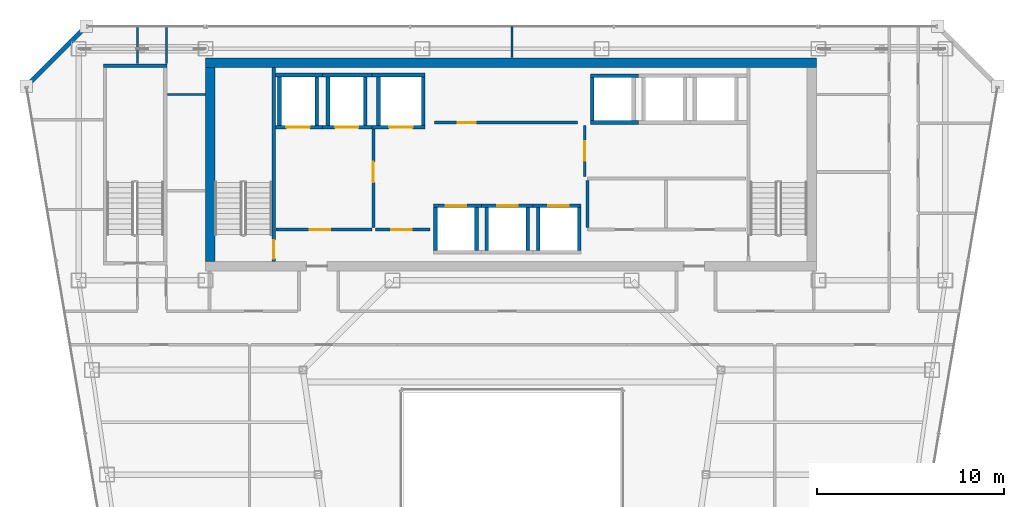
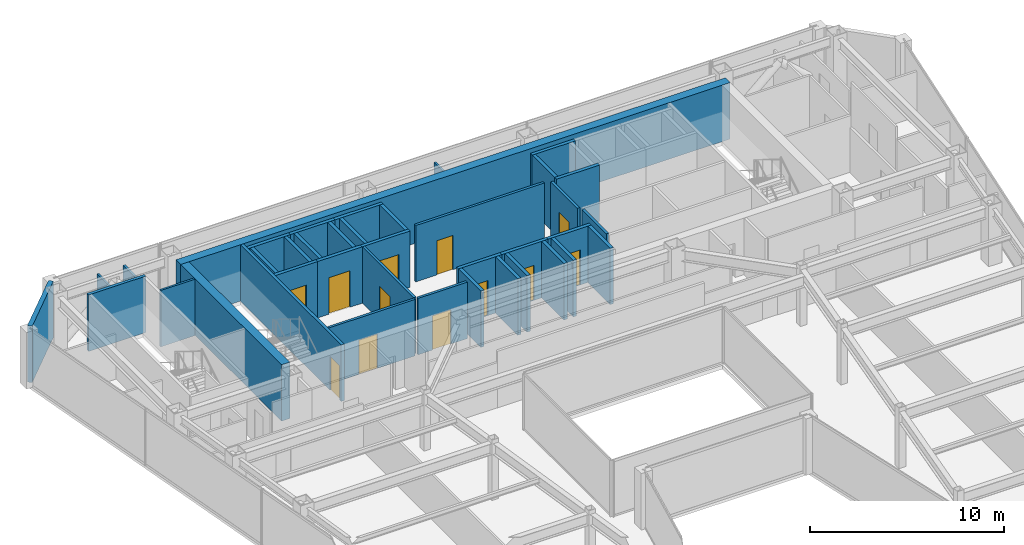
# One storey, part 31 of 35: 39 walls, 12 doors, 12 openings.
"""IFC4 building model written with IfcOpenShell, lengths in metres."""

import ifcopenshell
import ifcopenshell.guid

model = None  # the IFC model being written
_history = None  # IfcOwnerHistory: only IFC2X3 demands one
_inside = {}  # id of a spatial element -> (the spatial element, [elements in it])
_under = {}  # id of a project, library or spatial element -> (it, [spatial elements below it])
_declared = {}  # id of a project -> (the project, [libraries it declares])
_typed = {}  # id of a type object -> (the type object, [elements of that type])
_made_of = {}  # id of a material, layer set ... -> (it, [elements and type objects made of it])


def new_model(schema):
    """Start an empty IFC model of exactly this schema.

    Asked for "IFC4X3", IfcOpenShell would pick the latest addendum, in which some entities
    have other attributes; the version numbers below select the first issue.
    IFC2X3 requires an IfcOwnerHistory on every rooted entity: one is made here for all.
    """
    global model, _history
    if schema == "IFC4X3":
        model = ifcopenshell.file(schema_version=(4, 3, 0, 0))
    else:
        model = ifcopenshell.file(schema=schema)
    _inside.clear()
    _under.clear()
    _declared.clear()
    _typed.clear()
    _made_of.clear()
    _history = None
    if model.schema == "IFC2X3":
        org = make("IfcOrganization", Name="unknown")
        user = make(
            "IfcPersonAndOrganization",
            ThePerson=make("IfcPerson", FamilyName="unknown"),
            TheOrganization=org,
        )
        app = make(
            "IfcApplication",
            ApplicationDeveloper=org,
            Version="unknown",
            ApplicationFullName="unknown",
            ApplicationIdentifier="unknown",
        )
        _history = make(
            "IfcOwnerHistory",
            OwningUser=user,
            OwningApplication=app,
            ChangeAction="ADDED",
            CreationDate=0,
        )
    return model


def make(cls, **values):
    """One entity of the class cls with the attributes given. An attribute that is None is left unset."""
    return model.create_entity(
        cls, **{name: value for name, value in values.items() if value is not None}
    )


def rooted(cls, **values):
    """An entity with a GlobalId (a new one), such as an element, a storey or a relation."""
    return make(cls, GlobalId=ifcopenshell.guid.new(), OwnerHistory=_history, **values)


def si_unit(unit_type, name, prefix=None):
    """IfcSIUnit, for example si_unit("LENGTHUNIT", "METRE", prefix="MILLI")."""
    return make("IfcSIUnit", UnitType=unit_type, Prefix=prefix, Name=name)


def assignment(units):
    """IfcUnitAssignment: the units of a project."""
    return None if units is None else make("IfcUnitAssignment", Units=units)


def point(xyz):
    """IfcCartesianPoint."""
    return None if xyz is None else make("IfcCartesianPoint", Coordinates=xyz)


def direction(xyz):
    """IfcDirection."""
    return None if xyz is None else make("IfcDirection", DirectionRatios=xyz)


def frame(location, z_axis=None, x_axis=None):
    """IfcAxis2Placement3D, a coordinate frame: its origin and axes. An axis left out is left unset."""
    return make(
        "IfcAxis2Placement3D",
        Location=point(location),
        Axis=direction(z_axis),
        RefDirection=direction(x_axis),
    )


def frame_2d(location, x_axis=None):
    """IfcAxis2Placement2D, a coordinate frame in the plane: its origin and x axis."""
    return make(
        "IfcAxis2Placement2D", Location=point(location), RefDirection=direction(x_axis)
    )


def origin():
    """The frame at (0, 0, 0) with its axes left unset."""
    return frame((0.0, 0.0, 0.0))


def place(relative_to, where):
    """IfcLocalPlacement: puts the frame where relative to a parent placement (None: the world)."""
    return make(
        "IfcLocalPlacement", PlacementRelTo=relative_to, RelativePlacement=where
    )


def context(
    kind, dimensions, precision=None, world=None, true_north=None, identifier=None
):
    """IfcGeometricRepresentationContext, for example the 3D "Model" context."""
    return make(
        "IfcGeometricRepresentationContext",
        ContextIdentifier=identifier,
        ContextType=kind,
        CoordinateSpaceDimension=dimensions,
        Precision=precision,
        WorldCoordinateSystem=world,
        TrueNorth=true_north,
    )


def subcontext(parent, identifier, kind, view, scale=None):
    """IfcGeometricRepresentationSubContext, for example "Body" below "Model"."""
    return make(
        "IfcGeometricRepresentationSubContext",
        ContextIdentifier=identifier,
        ContextType=kind,
        ParentContext=parent,
        TargetScale=scale,
        TargetView=view,
    )


def project(units=None, contexts=None):
    """IfcProject with its units and contexts."""
    return rooted(
        "IfcProject",
        Name="project",
        RepresentationContexts=contexts,
        UnitsInContext=assignment(units),
    )


def spatial(cls, under=None, at=None, **own):
    """A site, building, storey or space (cls), placed at a placement, below another one or the project."""
    s = rooted(cls, ObjectPlacement=at, **own)
    if under is not None:
        _under.setdefault(under.id(), (under, []))[1].append(s)
    return s


def profile(cls, at=None, kind="AREA", **sizes):
    """A parametric profile (cls). Its sizes go by their IFC names, for example OverallWidth=200.0."""
    return make(cls, ProfileType=kind, Position=at, **sizes)


def rectangle(**sizes):
    """IfcRectangleProfileDef."""
    return profile("IfcRectangleProfileDef", **sizes)


def extrude(swept, where, along, depth):
    """IfcExtrudedAreaSolid: the profile swept, set in the frame where, extruded along a direction by depth."""
    return make(
        "IfcExtrudedAreaSolid",
        SweptArea=swept,
        Position=where,
        ExtrudedDirection=direction(along),
        Depth=depth,
    )


def shape(context_of_items, identifier, shape_type, items):
    """IfcShapeRepresentation: the items that make up one representation, for example the "Body"."""
    return make(
        "IfcShapeRepresentation",
        ContextOfItems=context_of_items,
        RepresentationIdentifier=identifier,
        RepresentationType=shape_type,
        Items=items,
    )


def material(Name=None, Category=None):
    """IfcMaterial."""
    return make("IfcMaterial", Name=Name, Category=Category)


def layer(
    of_material, thickness, ventilated=None, Name=None, Category=None, Priority=None
):
    """IfcMaterialLayer: one layer of a wall or slab, of a material (None: an air gap)."""
    return make(
        "IfcMaterialLayer",
        Material=of_material,
        LayerThickness=thickness,
        IsVentilated=ventilated,
        Name=Name,
        Category=Category,
        Priority=Priority,
    )


def layer_set(layers, Name=None):
    """IfcMaterialLayerSet."""
    return make("IfcMaterialLayerSet", MaterialLayers=layers, LayerSetName=Name)


def made_of(thing, what):
    """Note that an element or type object is made of a material, layer set ...; save() writes the relation."""
    if what is not None:
        _made_of.setdefault(what.id(), (what, []))[1].append(thing)
    return thing


def type_object(cls, material=None, **own):
    """A type object (cls), such as IfcWallType, which elements share."""
    return made_of(rooted(cls, **own), material)


def element(
    cls,
    number,
    at=None,
    inside=None,
    cuts=None,
    type_object=None,
    material=None,
    context=None,
    identifier="Body",
    shape_type=None,
    held_by="IfcProductDefinitionShape",
    body=None,
    shapes=None,
    **own,
):
    """One element of the class cls, such as IfcWall. Its Tag is "e" and its number.

    at: its placement. inside: the storey or other place that contains it. cuts: it is an
    opening in that element (IfcRelVoidsElement). A single representation is given by context,
    identifier, shape_type and body (its items); several are given by shapes. held_by: the class
    of the entity that holds the representations. save() writes the other relations.
    """
    e = rooted(cls, Tag="e%d" % number, ObjectPlacement=at, **own)
    if body is not None:
        shapes = [shape(context, identifier, shape_type, body)]
    if shapes is not None:
        e.Representation = make(held_by, Representations=shapes)
    if inside is not None:
        _inside.setdefault(inside.id(), (inside, []))[1].append(e)
    if cuts is not None:
        rooted(
            "IfcRelVoidsElement", RelatingBuildingElement=cuts, RelatedOpeningElement=e
        )
    if type_object is not None:
        _typed.setdefault(type_object.id(), (type_object, []))[1].append(e)
    return made_of(e, material)


def fill(opening, filler):
    """IfcRelFillsElement: the door or window that sits in an opening."""
    return rooted(
        "IfcRelFillsElement",
        RelatingOpeningElement=opening,
        RelatedBuildingElement=filler,
    )


def aggregate(whole, parts):
    """IfcRelAggregates: a whole, such as a stair, and the parts it consists of."""
    return rooted("IfcRelAggregates", RelatingObject=whole, RelatedObjects=parts)


def save(model, path):
    """Write the relations noted so far, then the file.

    IfcRelAggregates (storeys below a building ...), IfcRelContainedInSpatialStructure (elements
    in a storey), IfcRelDefinesByType, IfcRelAssociatesMaterial and IfcRelDeclares: one each for
    every whole, place, type object, material and project.
    """
    for whole, parts in _under.values():
        aggregate(whole, parts)
    for where, things in _inside.values():
        rooted(
            "IfcRelContainedInSpatialStructure",
            RelatedElements=things,
            RelatingStructure=where,
        )
    for kind, things in _typed.values():
        rooted("IfcRelDefinesByType", RelatedObjects=things, RelatingType=kind)
    for what, things in _made_of.values():
        rooted("IfcRelAssociatesMaterial", RelatedObjects=things, RelatingMaterial=what)
    for by, libraries in _declared.values():
        rooted("IfcRelDeclares", RelatingContext=by, RelatedDefinitions=libraries)
    model.write(path)


model = new_model("IFC4")

# Units and contexts
model_context = context("Model", 3, precision=1e-05, world=origin(), true_north=direction((0.0, 1.0)))
body_context = subcontext(model_context, "Body", "Model", "MODEL_VIEW")
ifc_project = project(units=[si_unit("LENGTHUNIT", "METRE"), si_unit("AREAUNIT", "SQUARE_METRE"), si_unit("VOLUMEUNIT", "CUBIC_METRE"), si_unit("PLANEANGLEUNIT", "RADIAN"), si_unit("MASSUNIT", "GRAM", prefix="KILO")], contexts=[model_context])

# Site, building, storey
site_placement = place(None, origin())
site = spatial("IfcSite", under=ifc_project, at=site_placement, CompositionType="ELEMENT")
building_placement = place(site_placement, origin())
building = spatial("IfcBuilding", under=site, at=building_placement, Name="Saevonmaru Cultural Tower", CompositionType="ELEMENT")
storey_placement = place(building_placement, frame((0.0, 0.0, 217.0)))
storey = spatial("IfcBuildingStorey", under=building, at=storey_placement, Name="L50", CompositionType="ELEMENT", Elevation=217.0)

# Walls
ifc_material_1 = material(Name="Concrete C60/75", Category="concrete")
ifc_layer_1 = layer(ifc_material_1, 0.5, Name="Concrete C60/75")
ifc_layer_set_1 = layer_set([ifc_layer_1], Name="Concrete C60/75")
wall_type_1 = type_object("IfcWallType", Name="WL-CORE-500", PredefinedType="SHEAR", material=ifc_layer_set_1)
wall_1_placement = place(storey_placement, frame((13.60009765625, 54.050048828125, 0.0), z_axis=(0.0, 0.0, 1.0), x_axis=(1.0, 0.0, 0.0)))
element("IfcWall", 1, at=wall_1_placement, inside=storey, type_object=wall_type_1, Name="L50 Tower RC core shear wall N", PredefinedType="SHEAR", context=body_context, shape_type="SweptSolid", body=[
    extrude(rectangle(XDim=32.699951171875, YDim=0.5, at=frame_2d((16.35009765625, 0.0))), origin(), (0.0, 0.0, 1.0), 3.550048828125),
])
wall_2_placement = place(storey_placement, frame((13.85009765625, 43.39990234375, 0.0), z_axis=(0.0, 0.0, 1.0), x_axis=(0.0, 1.0, 0.0)))
element("IfcWall", 2, at=wall_2_placement, inside=storey, type_object=wall_type_1, Name="L50 Tower RC core shear wall W", PredefinedType="SHEAR", context=body_context, shape_type="SweptSolid", body=[
    extrude(rectangle(XDim=10.400146484375, YDim=0.5, at=frame_2d((5.2001953125, 0.0))), origin(), (0.0, 0.0, 1.0), 3.550048828125),
])

# Wall, opening, door
ifc_material_2 = material(Name="Gypsum Fireboard Partition", Category="gypsum")
ifc_layer_2 = layer(ifc_material_2, 0.14990234375, Name="Gypsum Fireboard Partition")
ifc_layer_set_2 = layer_set([ifc_layer_2], Name="Gypsum Fireboard Partition")
wall_type_2 = type_object("IfcWallType", Name="WL-CORE-PART-150", PredefinedType="PARTITIONING", material=ifc_layer_set_2)
wall_3_placement = place(storey_placement, frame((17.360107421875, 45.1201171875, 0.0), z_axis=(0.0, 0.0, 1.0), x_axis=(1.0, 0.0, 0.0)))
wall_3 = element("IfcWall", 3, at=wall_3_placement, inside=storey, type_object=wall_type_2, Name="L50 Firefighting Lift Lobby South Wall", PredefinedType="PARTITIONING", context=body_context, shape_type="SweptSolid", body=[
    extrude(rectangle(XDim=5.139892578125, YDim=0.14990234375, at=frame_2d((2.56982421875, 0.0))), origin(), (0.0, 0.0, 1.0), 3.550048828125),
])
opening_1_placement = place(wall_3_placement, frame((1.800048828125, 0.0, 0.0)))
opening_1 = element("IfcOpeningElement", 4, at=opening_1_placement, cuts=wall_3, Name="Opening FD-2", PredefinedType="OPENING", context=body_context, shape_type="SweptSolid", body=[
    extrude(rectangle(XDim=1.10009765625, YDim=2.14990234375, at=frame_2d((0.550048828125, 1.074951171875))), frame((0.0, 0.0849609375, 0.0), z_axis=(0.0, -1.0, 0.0), x_axis=(1.0, 0.0, 0.0)), (0.0, 0.0, 1.0), 0.169921875),
])
ifc_material_3 = material(Name="Satin Bronze Anodised Aluminium", Category="aluminium")
door_type_1 = type_object("IfcDoorType", Name="DR-FD60-1100", OperationType="SINGLE_SWING_LEFT", PredefinedType="DOOR", material=ifc_material_3)
door_1_placement = place(opening_1_placement, origin())
door_1 = element("IfcDoor", 5, at=door_1_placement, inside=storey, type_object=door_type_1, Name="L50 Firefighting Lift Lobby South Door", OperationType="SINGLE_SWING_LEFT", OverallHeight=2.14990234375, OverallWidth=1.10009765625, PredefinedType="DOOR", context=body_context, shape_type="SweptSolid", body=[
    extrude(rectangle(XDim=1.10009765625, YDim=2.14990234375, at=frame_2d((0.550048828125, 1.074951171875))), frame((0.0, 0.02490234375, 0.0), z_axis=(0.0, -1.0, 0.0), x_axis=(1.0, 0.0, 0.0)), (0.0, 0.0, 1.0), 0.050048828125),
])
fill(opening_1, door_1)

wall_4_placement = place(storey_placement, frame((22.580078125, 50.550048828125, 0.0), z_axis=(0.0, 0.0, 1.0), x_axis=(0.0, -1.0, 0.0)))
wall_4 = element("IfcWall", 6, at=wall_4_placement, inside=storey, type_object=wall_type_2, Name="L50 Firefighting Lift Lobby East Wall", PredefinedType="PARTITIONING", context=body_context, shape_type="SweptSolid", body=[
    extrude(rectangle(XDim=5.330078125, YDim=0.14990234375, at=frame_2d((2.6650390625, 0.0))), origin(), (0.0, 0.0, 1.0), 3.550048828125),
])
opening_2_placement = place(wall_4_placement, frame((1.800048828125, 0.0, 0.0)))
opening_2 = element("IfcOpeningElement", 7, at=opening_2_placement, cuts=wall_4, Name="Opening FD-2", PredefinedType="OPENING", context=body_context, shape_type="SweptSolid", body=[
    extrude(rectangle(XDim=1.10009765625, YDim=2.14990234375, at=frame_2d((0.550048828125, 1.074951171875))), frame((0.0, 0.0849609375, 0.0), z_axis=(0.0, -1.0, 0.0), x_axis=(1.0, 0.0, 0.0)), (0.0, 0.0, 1.0), 0.169921875),
])
door_2_placement = place(opening_2_placement, origin())
door_2 = element("IfcDoor", 8, at=door_2_placement, inside=storey, type_object=door_type_1, Name="L50 Firefighting Lift Lobby East Door", OperationType="SINGLE_SWING_LEFT", OverallHeight=2.14990234375, OverallWidth=1.10009765625, PredefinedType="DOOR", context=body_context, shape_type="SweptSolid", body=[
    extrude(rectangle(XDim=1.10009765625, YDim=2.14990234375, at=frame_2d((0.550048828125, 1.074951171875))), frame((0.0, 0.02490234375, 0.0), z_axis=(0.0, -1.0, 0.0), x_axis=(1.0, 0.0, 0.0)), (0.0, 0.0, 1.0), 0.050048828125),
])
fill(opening_2, door_2)

wall_5_placement = place(storey_placement, frame((22.679931640625, 45.1201171875, 0.0), z_axis=(0.0, 0.0, 1.0), x_axis=(1.0, 0.0, 0.0)))
wall_5 = element("IfcWall", 9, at=wall_5_placement, inside=storey, type_object=wall_type_2, Name="L50 Service Lift Vestibule Wall", PredefinedType="PARTITIONING", context=body_context, shape_type="SweptSolid", body=[
    extrude(rectangle(XDim=2.920166015625, YDim=0.14990234375, at=frame_2d((1.4599609375, 0.0))), origin(), (0.0, 0.0, 1.0), 3.550048828125),
])
opening_3_placement = place(wall_5_placement, frame((0.85009765625, 0.0, 0.0)))
opening_3 = element("IfcOpeningElement", 10, at=opening_3_placement, cuts=wall_5, Name="Opening FD-2", PredefinedType="OPENING", context=body_context, shape_type="SweptSolid", body=[
    extrude(rectangle(XDim=1.10009765625, YDim=2.14990234375, at=frame_2d((0.550048828125, 1.074951171875))), frame((0.0, 0.0849609375, 0.0), z_axis=(0.0, -1.0, 0.0), x_axis=(1.0, 0.0, 0.0)), (0.0, 0.0, 1.0), 0.169921875),
])
door_3_placement = place(opening_3_placement, origin())
door_3 = element("IfcDoor", 11, at=door_3_placement, inside=storey, type_object=door_type_1, Name="L50 Service Lift Vestibule Door", OperationType="SINGLE_SWING_LEFT", OverallHeight=2.14990234375, OverallWidth=1.10009765625, PredefinedType="DOOR", context=body_context, shape_type="SweptSolid", body=[
    extrude(rectangle(XDim=1.10009765625, YDim=2.14990234375, at=frame_2d((0.550048828125, 1.074951171875))), frame((0.0, 0.02490234375, 0.0), z_axis=(0.0, -1.0, 0.0), x_axis=(1.0, 0.0, 0.0)), (0.0, 0.0, 1.0), 0.050048828125),
])
fill(opening_3, door_3)

wall_6_placement = place(storey_placement, frame((33.89990234375, 47.949951171875, 0.0), z_axis=(0.0, 0.0, 1.0), x_axis=(0.0, 1.0, 0.0)))
wall_6 = element("IfcWall", 12, at=wall_6_placement, inside=storey, type_object=wall_type_2, Name="L50 Zone Lobby Divider", PredefinedType="PARTITIONING", context=body_context, shape_type="SweptSolid", body=[
    extrude(rectangle(XDim=2.75, YDim=0.14990234375, at=frame_2d((1.375, 0.0))), origin(), (0.0, 0.0, 1.0), 3.550048828125),
])
opening_4_placement = place(wall_6_placement, frame((0.85009765625, 0.0, 0.0)))
opening_4 = element("IfcOpeningElement", 13, at=opening_4_placement, cuts=wall_6, Name="Opening ID-1", PredefinedType="OPENING", context=body_context, shape_type="SweptSolid", body=[
    extrude(rectangle(XDim=1.050048828125, YDim=2.14990234375, at=frame_2d((0.52490234375, 1.074951171875))), frame((0.0, 0.0849609375, 0.0), z_axis=(0.0, -1.0, 0.0), x_axis=(1.0, 0.0, 0.0)), (0.0, 0.0, 1.0), 0.169921875),
])
door_type_2 = type_object("IfcDoorType", Name="DR-INT-1050", OperationType="SINGLE_SWING_LEFT", PredefinedType="DOOR", material=ifc_material_3)
door_4_placement = place(opening_4_placement, origin())
door_4 = element("IfcDoor", 14, at=door_4_placement, inside=storey, type_object=door_type_2, Name="L50 Inter-Lobby Link Door", OperationType="SINGLE_SWING_LEFT", OverallHeight=2.14990234375, OverallWidth=1.050048828125, PredefinedType="DOOR", context=body_context, shape_type="SweptSolid", body=[
    extrude(rectangle(XDim=1.050048828125, YDim=2.14990234375, at=frame_2d((0.52490234375, 1.074951171875))), frame((0.0, 0.02490234375, 0.0), z_axis=(0.0, -1.0, 0.0), x_axis=(1.0, 0.0, 0.0)), (0.0, 0.0, 1.0), 0.050048828125),
])
fill(opening_4, door_4)

# Wall
wall_7_placement = place(storey_placement, frame((34.050048828125, 45.219970703125, 0.0), z_axis=(0.0, 0.0, 1.0), x_axis=(0.0, 1.0, 0.0)))
element("IfcWall", 15, at=wall_7_placement, inside=storey, type_object=wall_type_2, Name="L50 Core Plant West Wall", PredefinedType="PARTITIONING", context=body_context, shape_type="SweptSolid", body=[
    extrude(rectangle(XDim=2.530029296875, YDim=0.14990234375, at=frame_2d((1.26513671875, 0.0))), origin(), (0.0, 0.0, 1.0), 3.550048828125),
])

# Wall, opening, door
wall_8_placement = place(storey_placement, frame((25.85009765625, 50.85009765625, 0.0), z_axis=(0.0, 0.0, 1.0), x_axis=(1.0, 0.0, 0.0)))
wall_8 = element("IfcWall", 16, at=wall_8_placement, inside=storey, type_object=wall_type_2, Name="L50 Reclaimed Core Room South Wall", PredefinedType="PARTITIONING", context=body_context, shape_type="SweptSolid", body=[
    extrude(rectangle(XDim=7.64990234375, YDim=0.14990234375, at=frame_2d((3.824951171875, 0.0))), origin(), (0.0, 0.0, 1.0), 3.550048828125),
])
opening_5_placement = place(wall_8_placement, frame((1.25, 0.0, 0.0)))
opening_5 = element("IfcOpeningElement", 17, at=opening_5_placement, cuts=wall_8, Name="Opening FD-4", PredefinedType="OPENING", context=body_context, shape_type="SweptSolid", body=[
    extrude(rectangle(XDim=0.949951171875, YDim=2.14990234375, at=frame_2d((0.47509765625, 1.074951171875))), frame((0.0, 0.0849609375, 0.0), z_axis=(0.0, -1.0, 0.0), x_axis=(1.0, 0.0, 0.0)), (0.0, 0.0, 1.0), 0.169921875),
])
door_type_3 = type_object("IfcDoorType", Name="DR-FD60-950", OperationType="SINGLE_SWING_LEFT", PredefinedType="DOOR", material=ifc_material_3)
door_5_placement = place(opening_5_placement, origin())
door_5 = element("IfcDoor", 18, at=door_5_placement, inside=storey, type_object=door_type_3, Name="L50 Reclaimed Archive Vault Door", OperationType="SINGLE_SWING_LEFT", OverallHeight=2.14990234375, OverallWidth=0.949951171875, PredefinedType="DOOR", context=body_context, shape_type="SweptSolid", body=[
    extrude(rectangle(XDim=0.949951171875, YDim=2.14990234375, at=frame_2d((0.47509765625, 1.074951171875))), frame((0.0, 0.02490234375, 0.0), z_axis=(0.0, -1.0, 0.0), x_axis=(1.0, 0.0, 0.0)), (0.0, 0.0, 1.0), 0.050048828125),
])
fill(opening_5, door_5)

# Walls
ifc_material_4 = material(Name="Granite-Clad Precast Concrete C40/50", Category="masonry")
ifc_layer_3 = layer(ifc_material_4, 0.260009765625, Name="Granite-Clad Precast Concrete C40/50")
ifc_layer_set_3 = layer_set([ifc_layer_3], Name="Granite-Clad Precast Concrete C40/50")
wall_type_3 = type_object("IfcWallType", Name="WL-EXT-SPANDREL-260", PredefinedType="STANDARD", material=ifc_layer_set_3)
wall_9_placement = place(storey_placement, frame((7.0869140625, 55.886962890625, 0.0), z_axis=(0.0, 0.0, 1.0), x_axis=(-0.707106781187, -0.707106781187, 0.0)))
element("IfcWall", 19, at=wall_9_placement, inside=storey, type_object=wall_type_3, Name="L50 Chamfer Corner Spandrel Wall E11", PredefinedType="STANDARD", context=body_context, shape_type="SweptSolid", body=[
    extrude(rectangle(XDim=4.205810546875, YDim=0.260009765625, at=frame_2d((2.10302734375, 0.0))), origin(), (0.0, 0.0, 1.0), 3.550048828125),
])
ifc_layer_4 = layer(ifc_material_2, 0.1201171875, Name="Gypsum Fireboard Partition")
ifc_layer_set_4 = layer_set([ifc_layer_4], Name="Gypsum Fireboard Partition")
wall_type_4 = type_object("IfcWallType", Name="WL-PART-GYP-120", PredefinedType="PARTITIONING", material=ifc_layer_set_4)
wall_10_placement = place(storey_placement, frame((11.550048828125, 52.35009765625, 0.0), z_axis=(0.0, 0.0, 1.0), x_axis=(1.0, 0.0, 0.0)))
element("IfcWall", 20, at=wall_10_placement, inside=storey, type_object=wall_type_4, Name="L50 North-West Panorama South Wall", PredefinedType="PARTITIONING", context=body_context, shape_type="SweptSolid", body=[
    extrude(rectangle(XDim=2.030029296875, YDim=0.1201171875, at=frame_2d((1.01513671875, 0.0))), origin(), (0.0, 0.0, 1.0), 3.550048828125),
])
wall_11_placement = place(storey_placement, frame((30.0, 54.320068359375, 0.0), z_axis=(0.0, 0.0, 1.0), x_axis=(0.0, 1.0, 0.0)))
element("IfcWall", 21, at=wall_11_placement, inside=storey, type_object=wall_type_4, Name="L50 North Panorama Center Split", PredefinedType="PARTITIONING", context=body_context, shape_type="SweptSolid", body=[
    extrude(rectangle(XDim=1.675048828125, YDim=0.1201171875, at=frame_2d((0.83740234375, 0.0))), origin(), (0.0, 0.0, 1.0), 2.93505859375),
])
for number, where, z_axis, x_axis, name in (
    (22, (11.5, 54.0, 0.0), (0.0, 0.0, 1.0), (0.0, 1.0, 0.0), "L50 Typography Design Classroom Corridor Wall"),
    (23, (9.949951171875, 54.0, 0.0), (0.0, 0.0, 1.0), (0.0, 1.0, 0.0), "L50 Typography Design Classroom Corridor Wall"),
):
    element("IfcWall", number, at=place(storey_placement, frame(where, z_axis=z_axis, x_axis=x_axis)), inside=storey, type_object=wall_type_4, Name=name, PredefinedType="PARTITIONING", context=body_context, shape_type="SweptSolid", body=[
        extrude(rectangle(XDim=1.9951171875, YDim=0.1201171875, at=frame_2d((0.99755859375, 0.0))), origin(), (0.0, 0.0, 1.0), 2.93505859375),
    ])

# Wall, opening, door
ifc_material_5 = material(Name="Concrete C40/50", Category="concrete")
ifc_layer_5 = layer(ifc_material_5, 0.199951171875, Name="Concrete C40/50")
ifc_layer_set_5 = layer_set([ifc_layer_5], Name="Concrete C40/50")
wall_type_5 = type_object("IfcWallType", Name="WL-SHAFT-200", PredefinedType="SHEAR", material=ifc_layer_set_5)
wall_12_placement = place(storey_placement, frame((17.330078125, 50.60009765625, 0.0), z_axis=(0.0, 0.0, 1.0), x_axis=(1.0, 0.0, 0.0)))
wall_12 = element("IfcWall", 24, at=wall_12_placement, inside=storey, type_object=wall_type_5, Name="L50 Lift FFL-1 Hoistway Wall S", PredefinedType="SHEAR", context=body_context, shape_type="SweptSolid", body=[
    extrude(rectangle(XDim=2.52001953125, YDim=0.199951171875, at=frame_2d((1.260009765625, 0.0))), origin(), (0.0, 0.0, 1.0), 3.550048828125),
])
opening_6_placement = place(wall_12_placement, frame((0.594970703125, 0.0, 0.0)))
opening_6 = element("IfcOpeningElement", 25, at=opening_6_placement, cuts=wall_12, Name="Opening LD-2", PredefinedType="OPENING", context=body_context, shape_type="SweptSolid", body=[
    extrude(rectangle(XDim=1.25, YDim=2.300048828125, at=frame_2d((0.625, 1.14990234375))), frame((0.0, 0.10986328125, 0.0), z_axis=(0.0, -1.0, 0.0), x_axis=(1.0, 0.0, 0.0)), (0.0, 0.0, 1.0), 0.219970703125),
])
ifc_material_6 = material(Name="Stainless Steel 316", Category="steel")
door_type_4 = type_object("IfcDoorType", Name="DR-LIFT-1250", OperationType="SLIDING_TO_LEFT", PredefinedType="DOOR", material=ifc_material_6)
door_6_placement = place(opening_6_placement, origin())
door_6 = element("IfcDoor", 26, at=door_6_placement, inside=storey, type_object=door_type_4, Name="L50 Lift FFL-1 Sliding Landing Door", OperationType="SLIDING_TO_LEFT", OverallHeight=2.300048828125, OverallWidth=1.25, PredefinedType="DOOR", context=body_context, shape_type="SweptSolid", body=[
    extrude(rectangle(XDim=1.25, YDim=2.300048828125, at=frame_2d((0.625, 1.14990234375))), frame((0.0, 0.02490234375, 0.0), z_axis=(0.0, -1.0, 0.0), x_axis=(1.0, 0.0, 0.0)), (0.0, 0.0, 1.0), 0.050048828125),
])
fill(opening_6, door_6)

# Walls
wall_13_placement = place(storey_placement, frame((17.330078125, 53.39990234375, 0.0), z_axis=(0.0, 0.0, 1.0), x_axis=(1.0, 0.0, 0.0)))
element("IfcWall", 27, at=wall_13_placement, inside=storey, type_object=wall_type_5, Name="L50 Lift FFL-1 Hoistway Wall N", PredefinedType="SHEAR", context=body_context, shape_type="SweptSolid", body=[
    extrude(rectangle(XDim=2.52001953125, YDim=0.199951171875, at=frame_2d((1.260009765625, 0.0))), origin(), (0.0, 0.0, 1.0), 3.550048828125),
])
for number, where, z_axis, x_axis, name in (
    (28, (17.550048828125, 50.699951171875, 0.0), (0.0, 0.0, 1.0), (0.0, 1.0, 0.0), "L50 Lift FFL-1 Hoistway Wall W"),
    (29, (19.550048828125, 50.699951171875, 0.0), (0.0, 0.0, 1.0), (0.0, 1.0, 0.0), "L50 Lift FFL-1 Hoistway Wall E"),
):
    element("IfcWall", number, at=place(storey_placement, frame(where, z_axis=z_axis, x_axis=x_axis)), inside=storey, type_object=wall_type_5, Name=name, PredefinedType="SHEAR", context=body_context, shape_type="SweptSolid", body=[
        extrude(rectangle(XDim=2.60009765625, YDim=0.199951171875, at=frame_2d((1.300048828125, 0.0))), origin(), (0.0, 0.0, 1.0), 3.550048828125),
    ])

# Wall, opening, door
wall_14_placement = place(storey_placement, frame((19.85009765625, 50.60009765625, 0.0), z_axis=(0.0, 0.0, 1.0), x_axis=(1.0, 0.0, 0.0)))
wall_14 = element("IfcWall", 30, at=wall_14_placement, inside=storey, type_object=wall_type_5, Name="L50 Lift FFL-2 Hoistway Wall S", PredefinedType="SHEAR", context=body_context, shape_type="SweptSolid", body=[
    extrude(rectangle(XDim=2.64990234375, YDim=0.199951171875, at=frame_2d((1.324951171875, 0.0))), origin(), (0.0, 0.0, 1.0), 3.550048828125),
])
opening_7_placement = place(wall_14_placement, frame((0.675048828125, 0.0, 0.0)))
opening_7 = element("IfcOpeningElement", 31, at=opening_7_placement, cuts=wall_14, Name="Opening LD-2", PredefinedType="OPENING", context=body_context, shape_type="SweptSolid", body=[
    extrude(rectangle(XDim=1.25, YDim=2.300048828125, at=frame_2d((0.625, 1.14990234375))), frame((0.0, 0.10986328125, 0.0), z_axis=(0.0, -1.0, 0.0), x_axis=(1.0, 0.0, 0.0)), (0.0, 0.0, 1.0), 0.219970703125),
])
door_7_placement = place(opening_7_placement, origin())
door_7 = element("IfcDoor", 32, at=door_7_placement, inside=storey, type_object=door_type_4, Name="L50 Lift FFL-2 Sliding Landing Door", OperationType="SLIDING_TO_LEFT", OverallHeight=2.300048828125, OverallWidth=1.25, PredefinedType="DOOR", context=body_context, shape_type="SweptSolid", body=[
    extrude(rectangle(XDim=1.25, YDim=2.300048828125, at=frame_2d((0.625, 1.14990234375))), frame((0.0, 0.02490234375, 0.0), z_axis=(0.0, -1.0, 0.0), x_axis=(1.0, 0.0, 0.0)), (0.0, 0.0, 1.0), 0.050048828125),
])
fill(opening_7, door_7)

# Walls
wall_15_placement = place(storey_placement, frame((19.85009765625, 53.39990234375, 0.0), z_axis=(0.0, 0.0, 1.0), x_axis=(1.0, 0.0, 0.0)))
element("IfcWall", 33, at=wall_15_placement, inside=storey, type_object=wall_type_5, Name="L50 Lift FFL-2 Hoistway Wall N", PredefinedType="SHEAR", context=body_context, shape_type="SweptSolid", body=[
    extrude(rectangle(XDim=2.64990234375, YDim=0.199951171875, at=frame_2d((1.324951171875, 0.0))), origin(), (0.0, 0.0, 1.0), 3.550048828125),
])
for number, where, z_axis, x_axis, name in (
    (34, (20.14990234375, 50.699951171875, 0.0), (0.0, 0.0, 1.0), (0.0, 1.0, 0.0), "L50 Lift FFL-2 Hoistway Wall W"),
    (35, (22.14990234375, 50.699951171875, 0.0), (0.0, 0.0, 1.0), (0.0, 1.0, 0.0), "L50 Lift FFL-2 Hoistway Wall E"),
):
    element("IfcWall", number, at=place(storey_placement, frame(where, z_axis=z_axis, x_axis=x_axis)), inside=storey, type_object=wall_type_5, Name=name, PredefinedType="SHEAR", context=body_context, shape_type="SweptSolid", body=[
        extrude(rectangle(XDim=2.60009765625, YDim=0.199951171875, at=frame_2d((1.300048828125, 0.0))), origin(), (0.0, 0.0, 1.0), 3.550048828125),
    ])

# Wall, opening, door
wall_16_placement = place(storey_placement, frame((22.5, 50.60009765625, 0.0), z_axis=(0.0, 0.0, 1.0), x_axis=(1.0, 0.0, 0.0)))
wall_16 = element("IfcWall", 36, at=wall_16_placement, inside=storey, type_object=wall_type_5, Name="L50 Lift GL-1 Hoistway Wall S", PredefinedType="SHEAR", context=body_context, shape_type="SweptSolid", body=[
    extrude(rectangle(XDim=2.85009765625, YDim=0.199951171875, at=frame_2d((1.425048828125, 0.0))), origin(), (0.0, 0.0, 1.0), 3.550048828125),
])
opening_8_placement = place(wall_16_placement, frame((0.925048828125, 0.0, 0.0)))
opening_8 = element("IfcOpeningElement", 37, at=opening_8_placement, cuts=wall_16, Name="Opening LD-2", PredefinedType="OPENING", context=body_context, shape_type="SweptSolid", body=[
    extrude(rectangle(XDim=1.25, YDim=2.300048828125, at=frame_2d((0.625, 1.14990234375))), frame((0.0, 0.10986328125, 0.0), z_axis=(0.0, -1.0, 0.0), x_axis=(1.0, 0.0, 0.0)), (0.0, 0.0, 1.0), 0.219970703125),
])
door_8_placement = place(opening_8_placement, origin())
door_8 = element("IfcDoor", 38, at=door_8_placement, inside=storey, type_object=door_type_4, Name="L50 Lift GL-1 Sliding Landing Door", OperationType="SLIDING_TO_LEFT", OverallHeight=2.300048828125, OverallWidth=1.25, PredefinedType="DOOR", context=body_context, shape_type="SweptSolid", body=[
    extrude(rectangle(XDim=1.25, YDim=2.300048828125, at=frame_2d((0.625, 1.14990234375))), frame((0.0, 0.02490234375, 0.0), z_axis=(0.0, -1.0, 0.0), x_axis=(1.0, 0.0, 0.0)), (0.0, 0.0, 1.0), 0.050048828125),
])
fill(opening_8, door_8)

# Walls
wall_17_placement = place(storey_placement, frame((22.5, 53.39990234375, 0.0), z_axis=(0.0, 0.0, 1.0), x_axis=(1.0, 0.0, 0.0)))
element("IfcWall", 39, at=wall_17_placement, inside=storey, type_object=wall_type_5, Name="L50 Lift GL-1 Hoistway Wall N", PredefinedType="SHEAR", context=body_context, shape_type="SweptSolid", body=[
    extrude(rectangle(XDim=2.85009765625, YDim=0.199951171875, at=frame_2d((1.425048828125, 0.0))), origin(), (0.0, 0.0, 1.0), 3.550048828125),
])
for number, where, z_axis, x_axis, name in (
    (40, (22.85009765625, 50.699951171875, 0.0), (0.0, 0.0, 1.0), (0.0, 1.0, 0.0), "L50 Lift GL-1 Hoistway Wall W"),
    (41, (25.25, 50.699951171875, 0.0), (0.0, 0.0, 1.0), (0.0, 1.0, 0.0), "L50 Lift GL-1 Hoistway Wall E"),
):
    element("IfcWall", number, at=place(storey_placement, frame(where, z_axis=z_axis, x_axis=x_axis)), inside=storey, type_object=wall_type_5, Name=name, PredefinedType="SHEAR", context=body_context, shape_type="SweptSolid", body=[
        extrude(rectangle(XDim=2.60009765625, YDim=0.199951171875, at=frame_2d((1.300048828125, 0.0))), origin(), (0.0, 0.0, 1.0), 3.550048828125),
    ])

# Wall, opening, door
wall_18_placement = place(storey_placement, frame((25.800048828125, 46.39990234375, 0.0), z_axis=(0.0, 0.0, 1.0), x_axis=(1.0, 0.0, 0.0)))
wall_18 = element("IfcWall", 42, at=wall_18_placement, inside=storey, type_object=wall_type_5, Name="L50 Lift PL-M1 Hoistway Wall N", PredefinedType="SHEAR", context=body_context, shape_type="SweptSolid", body=[
    extrude(rectangle(XDim=2.574951171875, YDim=0.199951171875, at=frame_2d((1.28759765625, 0.0))), origin(), (0.0, 0.0, 1.0), 3.550048828125),
])
opening_9_placement = place(wall_18_placement, frame((0.64990234375, 0.0, 0.0)))
opening_9 = element("IfcOpeningElement", 43, at=opening_9_placement, cuts=wall_18, Name="Opening LD-1", PredefinedType="OPENING", context=body_context, shape_type="SweptSolid", body=[
    extrude(rectangle(XDim=1.10009765625, YDim=2.199951171875, at=frame_2d((0.550048828125, 1.10009765625))), frame((0.0, 0.10986328125, 0.0), z_axis=(0.0, -1.0, 0.0), x_axis=(1.0, 0.0, 0.0)), (0.0, 0.0, 1.0), 0.219970703125),
])
ifc_material_7 = material(Name="Satin Bronze Stainless Steel", Category="steel")
door_type_5 = type_object("IfcDoorType", Name="DR-LIFT-1100", OperationType="SLIDING_TO_LEFT", PredefinedType="DOOR", material=ifc_material_7)
door_9_placement = place(opening_9_placement, origin())
door_9 = element("IfcDoor", 44, at=door_9_placement, inside=storey, type_object=door_type_5, Name="L50 Lift PL-M1 Sliding Landing Door", OperationType="SLIDING_TO_LEFT", OverallHeight=2.199951171875, OverallWidth=1.10009765625, PredefinedType="DOOR", context=body_context, shape_type="SweptSolid", body=[
    extrude(rectangle(XDim=1.10009765625, YDim=2.199951171875, at=frame_2d((0.550048828125, 1.10009765625))), frame((0.0, 0.02490234375, 0.0), z_axis=(0.0, -1.0, 0.0), x_axis=(1.0, 0.0, 0.0)), (0.0, 0.0, 1.0), 0.050048828125),
])
fill(opening_9, door_9)

# Walls
for number, where, z_axis, x_axis, name in (
    (45, (25.89990234375, 44.0, 0.0), (0.0, 0.0, 1.0), (0.0, 1.0, 0.0), "L50 Lift PL-M1 Hoistway Wall W"),
    (46, (28.10009765625, 44.0, 0.0), (0.0, 0.0, 1.0), (0.0, 1.0, 0.0), "L50 Lift PL-M1 Hoistway Wall E"),
):
    element("IfcWall", number, at=place(storey_placement, frame(where, z_axis=z_axis, x_axis=x_axis)), inside=storey, type_object=wall_type_5, Name=name, PredefinedType="SHEAR", context=body_context, shape_type="SweptSolid", body=[
        extrude(rectangle(XDim=2.300048828125, YDim=0.199951171875, at=frame_2d((1.14990234375, 0.0))), origin(), (0.0, 0.0, 1.0), 3.550048828125),
    ])

# Wall, opening, door
wall_19_placement = place(storey_placement, frame((28.375, 46.39990234375, 0.0), z_axis=(0.0, 0.0, 1.0), x_axis=(1.0, 0.0, 0.0)))
wall_19 = element("IfcWall", 47, at=wall_19_placement, inside=storey, type_object=wall_type_5, Name="L50 Lift PL-M2 Hoistway Wall N", PredefinedType="SHEAR", context=body_context, shape_type="SweptSolid", body=[
    extrude(rectangle(XDim=2.75, YDim=0.199951171875, at=frame_2d((1.375, 0.0))), origin(), (0.0, 0.0, 1.0), 3.550048828125),
])
opening_10_placement = place(wall_19_placement, frame((0.824951171875, 0.0, 0.0)))
opening_10 = element("IfcOpeningElement", 48, at=opening_10_placement, cuts=wall_19, Name="Opening LD-1", PredefinedType="OPENING", context=body_context, shape_type="SweptSolid", body=[
    extrude(rectangle(XDim=1.10009765625, YDim=2.199951171875, at=frame_2d((0.550048828125, 1.10009765625))), frame((0.0, 0.10986328125, 0.0), z_axis=(0.0, -1.0, 0.0), x_axis=(1.0, 0.0, 0.0)), (0.0, 0.0, 1.0), 0.219970703125),
])
door_10_placement = place(opening_10_placement, origin())
door_10 = element("IfcDoor", 49, at=door_10_placement, inside=storey, type_object=door_type_5, Name="L50 Lift PL-M2 Sliding Landing Door", OperationType="SLIDING_TO_LEFT", OverallHeight=2.199951171875, OverallWidth=1.10009765625, PredefinedType="DOOR", context=body_context, shape_type="SweptSolid", body=[
    extrude(rectangle(XDim=1.10009765625, YDim=2.199951171875, at=frame_2d((0.550048828125, 1.10009765625))), frame((0.0, 0.02490234375, 0.0), z_axis=(0.0, -1.0, 0.0), x_axis=(1.0, 0.0, 0.0)), (0.0, 0.0, 1.0), 0.050048828125),
])
fill(opening_10, door_10)

# Walls
for number, where, z_axis, x_axis, name in (
    (50, (28.64990234375, 44.0, 0.0), (0.0, 0.0, 1.0), (0.0, 1.0, 0.0), "L50 Lift PL-M2 Hoistway Wall W"),
    (51, (30.85009765625, 44.0, 0.0), (0.0, 0.0, 1.0), (0.0, 1.0, 0.0), "L50 Lift PL-M2 Hoistway Wall E"),
):
    element("IfcWall", number, at=place(storey_placement, frame(where, z_axis=z_axis, x_axis=x_axis)), inside=storey, type_object=wall_type_5, Name=name, PredefinedType="SHEAR", context=body_context, shape_type="SweptSolid", body=[
        extrude(rectangle(XDim=2.300048828125, YDim=0.199951171875, at=frame_2d((1.14990234375, 0.0))), origin(), (0.0, 0.0, 1.0), 3.550048828125),
    ])

# Wall, opening, door
wall_20_placement = place(storey_placement, frame((31.125, 46.39990234375, 0.0), z_axis=(0.0, 0.0, 1.0), x_axis=(1.0, 0.0, 0.0)))
wall_20 = element("IfcWall", 52, at=wall_20_placement, inside=storey, type_object=wall_type_5, Name="L50 Lift PL-M3 Hoistway Wall N", PredefinedType="SHEAR", context=body_context, shape_type="SweptSolid", body=[
    extrude(rectangle(XDim=2.574951171875, YDim=0.199951171875, at=frame_2d((1.28759765625, 0.0))), origin(), (0.0, 0.0, 1.0), 3.550048828125),
])
opening_11_placement = place(wall_20_placement, frame((0.824951171875, 0.0, 0.0)))
opening_11 = element("IfcOpeningElement", 53, at=opening_11_placement, cuts=wall_20, Name="Opening LD-1", PredefinedType="OPENING", context=body_context, shape_type="SweptSolid", body=[
    extrude(rectangle(XDim=1.10009765625, YDim=2.199951171875, at=frame_2d((0.550048828125, 1.10009765625))), frame((0.0, 0.10986328125, 0.0), z_axis=(0.0, -1.0, 0.0), x_axis=(1.0, 0.0, 0.0)), (0.0, 0.0, 1.0), 0.219970703125),
])
door_11_placement = place(opening_11_placement, origin())
door_11 = element("IfcDoor", 54, at=door_11_placement, inside=storey, type_object=door_type_5, Name="L50 Lift PL-M3 Sliding Landing Door", OperationType="SLIDING_TO_LEFT", OverallHeight=2.199951171875, OverallWidth=1.10009765625, PredefinedType="DOOR", context=body_context, shape_type="SweptSolid", body=[
    extrude(rectangle(XDim=1.10009765625, YDim=2.199951171875, at=frame_2d((0.550048828125, 1.10009765625))), frame((0.0, 0.02490234375, 0.0), z_axis=(0.0, -1.0, 0.0), x_axis=(1.0, 0.0, 0.0)), (0.0, 0.0, 1.0), 0.050048828125),
])
fill(opening_11, door_11)

# Walls
for number, where, z_axis, x_axis, name in (
    (55, (31.39990234375, 44.0, 0.0), (0.0, 0.0, 1.0), (0.0, 1.0, 0.0), "L50 Lift PL-M3 Hoistway Wall W"),
    (56, (33.60009765625, 44.0, 0.0), (0.0, 0.0, 1.0), (0.0, 1.0, 0.0), "L50 Lift PL-M3 Hoistway Wall E"),
):
    element("IfcWall", number, at=place(storey_placement, frame(where, z_axis=z_axis, x_axis=x_axis)), inside=storey, type_object=wall_type_5, Name=name, PredefinedType="SHEAR", context=body_context, shape_type="SweptSolid", body=[
        extrude(rectangle(XDim=2.300048828125, YDim=0.199951171875, at=frame_2d((1.14990234375, 0.0))), origin(), (0.0, 0.0, 1.0), 3.550048828125),
    ])
for number, where, z_axis, x_axis, name in (
    (57, (34.199951171875, 50.85009765625, 0.0), (0.0, 0.0, 1.0), (1.0, 0.0, 0.0), "L50 Lift PL-H1 Hoistway Wall S"),
    (58, (34.199951171875, 53.35009765625, 0.0), (0.0, 0.0, 1.0), (1.0, 0.0, 0.0), "L50 Lift PL-H1 Hoistway Wall N"),
):
    element("IfcWall", number, at=place(storey_placement, frame(where, z_axis=z_axis, x_axis=x_axis)), inside=storey, type_object=wall_type_5, Name=name, PredefinedType="SHEAR", context=body_context, shape_type="SweptSolid", body=[
        extrude(rectangle(XDim=2.574951171875, YDim=0.199951171875, at=frame_2d((1.28759765625, 0.0))), origin(), (0.0, 0.0, 1.0), 3.550048828125),
    ])
wall_21_placement = place(storey_placement, frame((34.300048828125, 50.949951171875, 0.0), z_axis=(0.0, 0.0, 1.0), x_axis=(0.0, 1.0, 0.0)))
element("IfcWall", 59, at=wall_21_placement, inside=storey, type_object=wall_type_5, Name="L50 Lift PL-H1 Hoistway Wall W", PredefinedType="SHEAR", context=body_context, shape_type="SweptSolid", body=[
    extrude(rectangle(XDim=2.300048828125, YDim=0.199951171875, at=frame_2d((1.14990234375, 0.0))), origin(), (0.0, 0.0, 1.0), 3.550048828125),
])

# Wall, opening, door
ifc_layer_6 = layer(ifc_material_5, 0.179931640625, Name="Concrete C40/50")
ifc_layer_set_6 = layer_set([ifc_layer_6], Name="Concrete C40/50")
wall_type_6 = type_object("IfcWallType", Name="WL-STSHAFT-180", PredefinedType="SHEAR", material=ifc_layer_set_6)
wall_22_placement = place(storey_placement, frame((17.239990234375, 43.39990234375, 0.0), z_axis=(0.0, 0.0, 1.0), x_axis=(0.0, 1.0, 0.0)))
wall_22 = element("IfcWall", 60, at=wall_22_placement, inside=storey, type_object=wall_type_6, Name="L50 Stair ST-1 Structural Shaft Wall 1", PredefinedType="SHEAR", context=body_context, shape_type="SweptSolid", body=[
    extrude(rectangle(XDim=10.400146484375, YDim=0.179931640625, at=frame_2d((5.2001953125, 0.0))), origin(), (0.0, 0.0, 1.0), 3.550048828125),
])
opening_12_placement = place(wall_22_placement, frame((0.159912109375, 0.0, 0.0)))
opening_12 = element("IfcOpeningElement", 61, at=opening_12_placement, cuts=wall_22, Name="Opening FD-3", PredefinedType="OPENING", context=body_context, shape_type="SweptSolid", body=[
    extrude(rectangle(XDim=1.0, YDim=2.14990234375, at=frame_2d((0.5, 1.074951171875))), frame((0.0, 0.10009765625, 0.0), z_axis=(0.0, -1.0, 0.0), x_axis=(1.0, 0.0, 0.0)), (0.0, 0.0, 1.0), 0.199951171875),
])
door_type_6 = type_object("IfcDoorType", Name="DR-FD60-1000", OperationType="SINGLE_SWING_RIGHT", PredefinedType="DOOR", material=ifc_material_3)
door_12_placement = place(opening_12_placement, origin())
door_12 = element("IfcDoor", 62, at=door_12_placement, inside=storey, type_object=door_type_6, Name="L50 Protected Stair ST-1 Fire Door", OperationType="SINGLE_SWING_RIGHT", OverallHeight=2.14990234375, OverallWidth=1.0, PredefinedType="DOOR", context=body_context, shape_type="SweptSolid", body=[
    extrude(rectangle(XDim=1.0, YDim=2.14990234375, at=frame_2d((0.5, 1.074951171875))), frame((0.0, 0.02490234375, 0.0), z_axis=(0.0, -1.0, 0.0), x_axis=(1.0, 0.0, 0.0)), (0.0, 0.0, 1.0), 0.050048828125),
])
fill(opening_12, door_12)

# Wall
wall_23_placement = place(storey_placement, frame((11.530029296875, 53.889892578125, 0.0), z_axis=(0.0, 0.0, 1.0), x_axis=(-1.0, 0.0, 0.0)))
element("IfcWall", 63, at=wall_23_placement, inside=storey, type_object=wall_type_6, Name="L50 Stair ST-3 Structural Shaft Wall 3", PredefinedType="SHEAR", context=body_context, shape_type="SweptSolid", body=[
    extrude(rectangle(XDim=3.409912109375, YDim=0.179931640625, at=frame_2d((1.705078125, 0.0))), origin(), (0.0, 0.0, 1.0), 3.550048828125),
])

save(model, "model.ifc")
